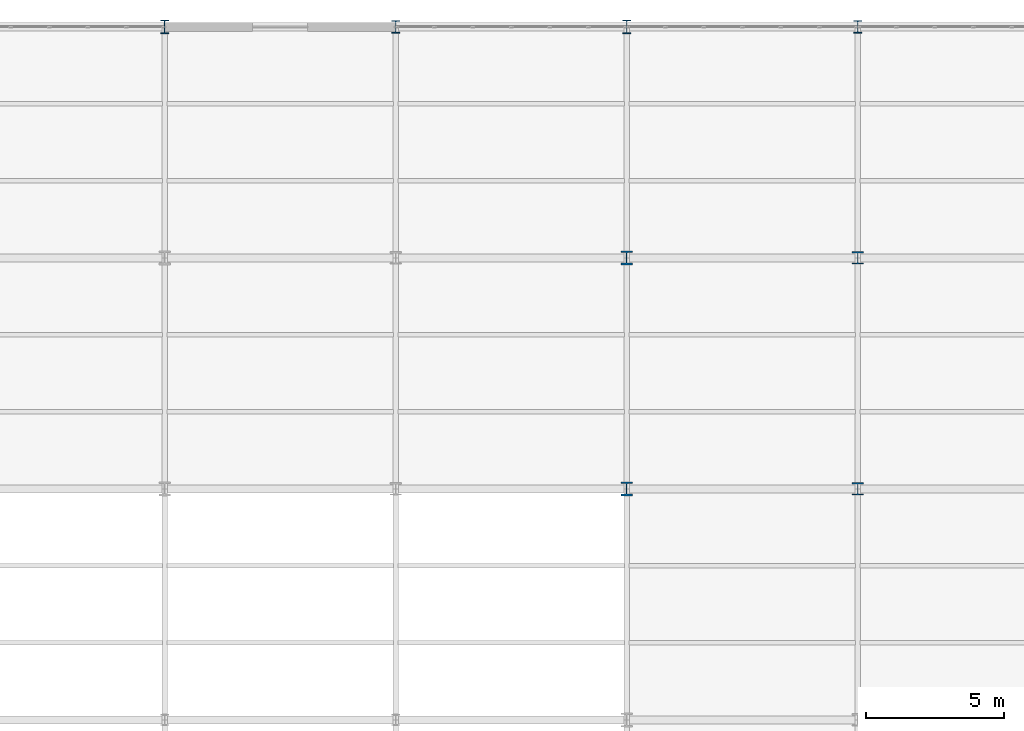
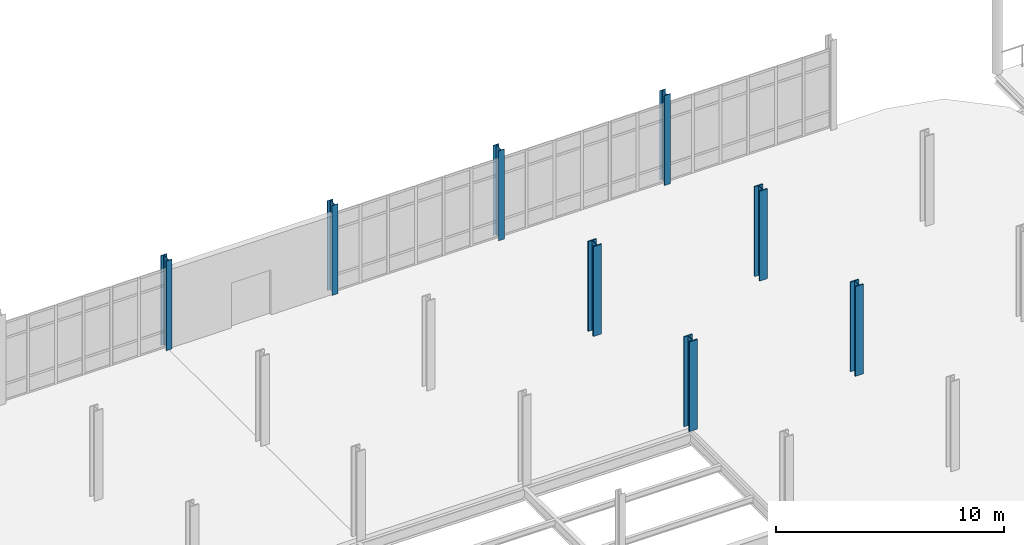
# One storey, part 16 of 145: 8 columns.
"""IFC4 building model written with IfcOpenShell, lengths in metres."""

from ifc_helpers import new_model, si_unit, direction, frame, origin, origin_2d, place, context, subcontext, project, spatial, i_section, extrude, material, material_profile, profile_set, type_object, element, save


model = new_model("IFC4")

# Units and contexts
model_context = context("Model", 3, precision=1e-05, world=origin(), true_north=direction((0.0, 1.0)))
body_context = subcontext(model_context, "Body", "Model", "MODEL_VIEW")
ifc_project = project(units=[si_unit("LENGTHUNIT", "METRE"), si_unit("AREAUNIT", "SQUARE_METRE"), si_unit("VOLUMEUNIT", "CUBIC_METRE"), si_unit("PLANEANGLEUNIT", "RADIAN"), si_unit("MASSUNIT", "GRAM", prefix="KILO")], contexts=[model_context])

# Site, building, storey
site_placement = place(None, origin())
site = spatial("IfcSite", under=ifc_project, at=site_placement, CompositionType="ELEMENT")
building_placement = place(site_placement, origin())
building = spatial("IfcBuilding", under=site, at=building_placement, Name="Qalvenar Corner Mobility Hub", CompositionType="ELEMENT")
storey_placement = place(building_placement, origin())
storey = spatial("IfcBuildingStorey", under=building, at=storey_placement, Name="L00", CompositionType="ELEMENT", Elevation=0.0)

# Columns
ifc_material = material(Name="Steel S355", Category="steel")
ifc_material_profile_1 = material_profile(ifc_material, i_section(OverallWidth=0.412109375, OverallDepth=0.455078125, WebThickness=0.030517578125, FlangeThickness=0.049072265625, FilletRadius=0.014892578125, at=origin_2d()), Name="HD400x421")
ifc_profile_set_1 = profile_set([ifc_material_profile_1], Name="Steel S355")
column_type_1 = type_object("IfcColumnType", Name="COL-HD400X382", PredefinedType="COLUMN", material=ifc_profile_set_1)
for number, where, z_axis, x_axis, name in (
    (1, (126.0, 100.800048828125, 0.0), (0.0, 0.0, 1.0), (1.0, 0.0, 0.0), "Steel Column L00-G16-12"),
    (2, (126.0, 109.199951171875, 0.0), (0.0, 0.0, 1.0), (1.0, 0.0, 0.0), "Steel Column L00-G16-13"),
):
    element("IfcColumn", number, at=place(storey_placement, frame(where, z_axis=z_axis, x_axis=x_axis)), inside=storey, type_object=column_type_1, Name=name, PredefinedType="COLUMN", context=body_context, shape_type="SweptSolid", body=[
        extrude(i_section(OverallWidth=0.412109375, OverallDepth=0.455078125, WebThickness=0.030517578125, FlangeThickness=0.049072265625, FilletRadius=0.014892578125, at=origin_2d()), origin(), (0.0, 0.0, 1.0), 4.800048828125),
    ])
ifc_material_profile_2 = material_profile(ifc_material, i_section(OverallWidth=0.419921875, OverallDepth=0.5048828125, WebThickness=0.03662109375, FlangeThickness=0.05908203125, FilletRadius=0.014892578125, at=origin_2d()), Name="HD400x551")
ifc_profile_set_2 = profile_set([ifc_material_profile_2], Name="Steel S355")
column_type_2 = type_object("IfcColumnType", Name="COL-HD400X463", PredefinedType="COLUMN", material=ifc_profile_set_2)
for number, where, z_axis, x_axis, name in (
    (3, (117.60009765625, 100.800048828125, 0.0), (0.0, 0.0, 1.0), (1.0, 0.0, 0.0), "Steel Column L00-G15-12"),
    (4, (117.60009765625, 109.199951171875, 0.0), (0.0, 0.0, 1.0), (1.0, 0.0, 0.0), "Steel Column L00-G15-13"),
):
    element("IfcColumn", number, at=place(storey_placement, frame(where, z_axis=z_axis, x_axis=x_axis)), inside=storey, type_object=column_type_2, Name=name, PredefinedType="COLUMN", context=body_context, shape_type="SweptSolid", body=[
        extrude(i_section(OverallWidth=0.419921875, OverallDepth=0.5048828125, WebThickness=0.03662109375, FlangeThickness=0.05908203125, FilletRadius=0.014892578125, at=origin_2d()), origin(), (0.0, 0.0, 1.0), 4.800048828125),
    ])
ifc_material_profile_3 = material_profile(ifc_material, i_section(OverallWidth=0.300048828125, OverallDepth=0.449951171875, WebThickness=0.013916015625, FlangeThickness=0.02587890625, FilletRadius=0.027099609375, at=origin_2d()), Name="HEB450")
ifc_profile_set_3 = profile_set([ifc_material_profile_3], Name="Steel S355")
column_type_3 = type_object("IfcColumnType", Name="COL-HEB450", PredefinedType="COLUMN", material=ifc_profile_set_3)
for number, where, z_axis, x_axis, name in (
    (5, (109.199951171875, 117.60009765625, 0.0), (0.0, 0.0, 1.0), (1.0, 0.0, 0.0), "Steel Column L00-G14-14"),
    (6, (126.0, 117.60009765625, 0.0), (0.0, 0.0, 1.0), (1.0, 0.0, 0.0), "Steel Column L00-G16-14"),
):
    element("IfcColumn", number, at=place(storey_placement, frame(where, z_axis=z_axis, x_axis=x_axis)), inside=storey, type_object=column_type_3, Name=name, PredefinedType="COLUMN", context=body_context, shape_type="SweptSolid", body=[
        extrude(i_section(OverallWidth=0.300048828125, OverallDepth=0.449951171875, WebThickness=0.013916015625, FlangeThickness=0.02587890625, FilletRadius=0.027099609375, at=origin_2d()), origin(), (0.0, 0.0, 1.0), 4.800048828125),
    ])
ifc_material_profile_4 = material_profile(ifc_material, i_section(OverallWidth=0.300048828125, OverallDepth=0.5, WebThickness=0.014404296875, FlangeThickness=0.028076171875, FilletRadius=0.027099609375, at=origin_2d()), Name="HEB500")
ifc_profile_set_4 = profile_set([ifc_material_profile_4], Name="Steel S355")
column_type_4 = type_object("IfcColumnType", Name="COL-HEB500", PredefinedType="COLUMN", material=ifc_profile_set_4)
for number, where, z_axis, x_axis, name in (
    (7, (100.800048828125, 117.60009765625, 0.0), (0.0, 0.0, 1.0), (1.0, 0.0, 0.0), "Steel Column L00-G13-14"),
    (8, (117.60009765625, 117.60009765625, 0.0), (0.0, 0.0, 1.0), (1.0, 0.0, 0.0), "Steel Column L00-G15-14"),
):
    element("IfcColumn", number, at=place(storey_placement, frame(where, z_axis=z_axis, x_axis=x_axis)), inside=storey, type_object=column_type_4, Name=name, PredefinedType="COLUMN", context=body_context, shape_type="SweptSolid", body=[
        extrude(i_section(OverallWidth=0.300048828125, OverallDepth=0.5, WebThickness=0.014404296875, FlangeThickness=0.028076171875, FilletRadius=0.027099609375, at=origin_2d()), origin(), (0.0, 0.0, 1.0), 4.800048828125),
    ])

save(model, "model.ifc")
